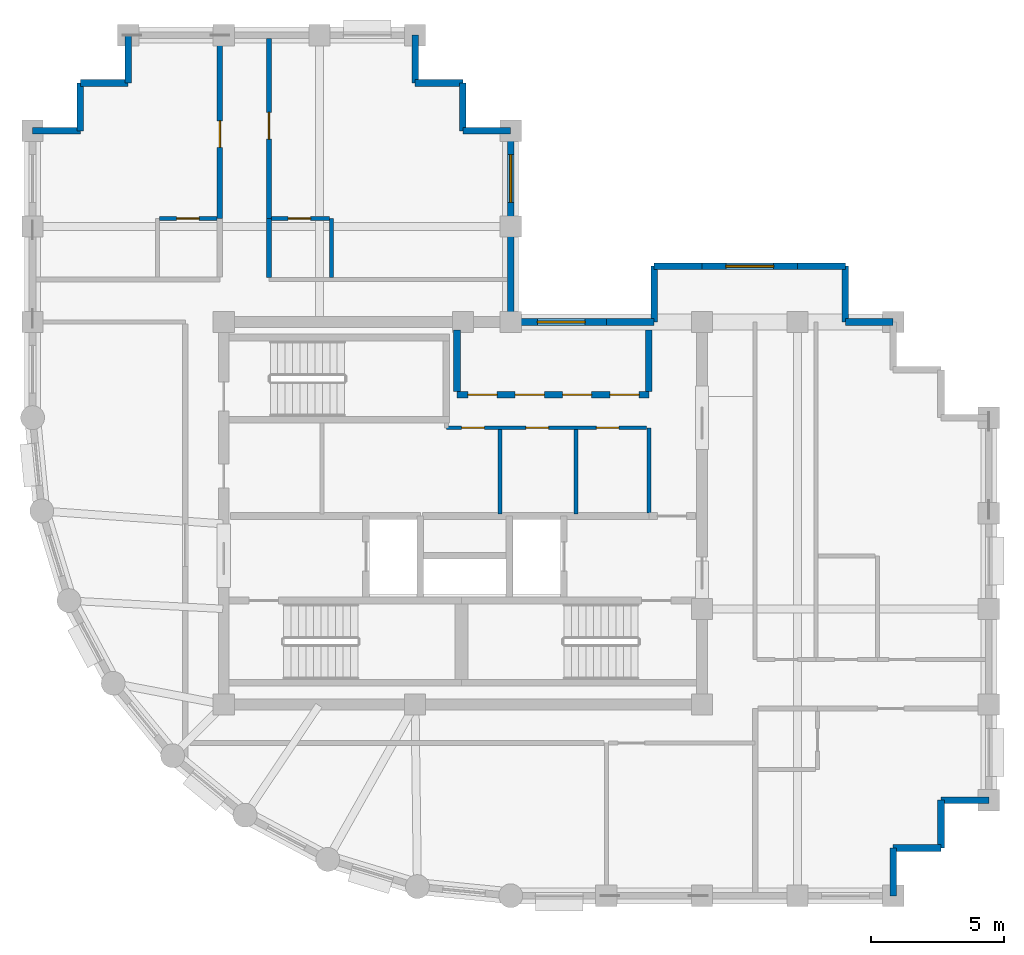
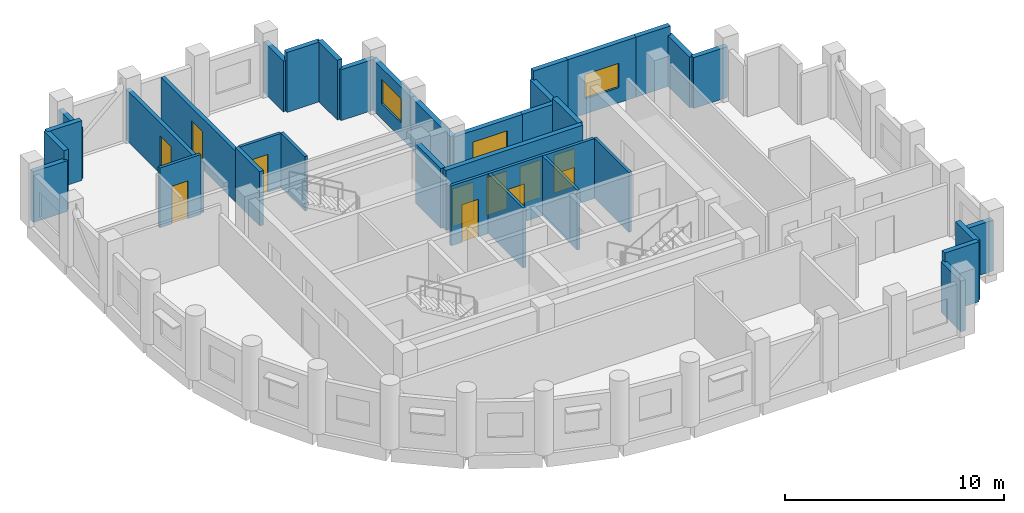
# One storey, part 4 of 7: 35 walls, 11 doors, 3 windows, 14 openings.
"""IFC4 building model written with IfcOpenShell, lengths in metres."""

from ifc_helpers import new_model, si_unit, direction, frame, frame_2d, origin, place, context, subcontext, project, spatial, rectangle, extrude, material, layer, layer_set, type_object, element, fill, save


model = new_model("IFC4")

# Units and contexts
model_context = context("Model", 3, precision=1e-05, world=origin(), true_north=direction((0.0, 1.0)))
body_context = subcontext(model_context, "Body", "Model", "MODEL_VIEW")
ifc_project = project(units=[si_unit("LENGTHUNIT", "METRE"), si_unit("AREAUNIT", "SQUARE_METRE"), si_unit("VOLUMEUNIT", "CUBIC_METRE"), si_unit("PLANEANGLEUNIT", "RADIAN"), si_unit("MASSUNIT", "GRAM", prefix="KILO")], contexts=[model_context])

# Site, building, storey
site_placement = place(None, origin())
site = spatial("IfcSite", under=ifc_project, at=site_placement, CompositionType="ELEMENT")
building_placement = place(site_placement, origin())
building = spatial("IfcBuilding", under=site, at=building_placement, Name="Solnavia Interchange Tower", CompositionType="ELEMENT")
storey_placement = place(building_placement, frame((0.0, 0.0, 281.0)))
storey = spatial("IfcBuildingStorey", under=building, at=storey_placement, Name="L71", CompositionType="ELEMENT", Elevation=281.0)

# Wall, opening, door
ifc_material_1 = material(Name="Gypsum Acoustic Twin-Stud & Mineral Wool", Category="gypsum")
ifc_layer_1 = layer(ifc_material_1, 0.199951171875)
ifc_layer_set_1 = layer_set([ifc_layer_1], Name="Gypsum Acoustic Twin-Stud & Mineral Wool")
wall_type_1 = type_object("IfcWallType", Name="Wall-ApartmentParty-200", PredefinedType="PARTITIONING", material=ifc_layer_set_1)
wall_1_placement = place(storey_placement, frame((14.25, 29.10009765625, 0.0), z_axis=(0.0, 0.0, 1.0), x_axis=(0.0, 1.0, 0.0)))
wall_1 = element("IfcWall", 1, at=wall_1_placement, inside=storey, type_object=wall_type_1, Name="PTW-L71-20 Interior partition wall", PredefinedType="PARTITIONING", context=body_context, shape_type="SweptSolid", body=[
    extrude(rectangle(XDim=6.77099609375, YDim=0.199951171875, at=frame_2d((3.385498046875, 0.0))), origin(), (0.0, 0.0, 1.0), 2.830078125),
])
opening_1_placement = place(wall_1_placement, frame((2.6708984375, 0.0, 0.0)))
opening_1 = element("IfcOpeningElement", 2, at=opening_1_placement, cuts=wall_1, Name="Opening DR-06", PredefinedType="OPENING", context=body_context, shape_type="SweptSolid", body=[
    extrude(rectangle(XDim=1.0, YDim=2.10009765625, at=frame_2d((0.5, 1.050048828125))), frame((0.0, 0.10986328125, 0.0), z_axis=(0.0, -1.0, 0.0), x_axis=(1.0, 0.0, 0.0)), (0.0, 0.0, 1.0), 0.219970703125),
])
ifc_material_2 = material(Name="Engineered Timber Acoustic Fire Door", Category="wood")
door_type_1 = type_object("IfcDoorType", Name="Door-FlatEntry-1000x2100", OperationType="SINGLE_SWING_LEFT", PredefinedType="DOOR", material=ifc_material_2)
door_1_placement = place(opening_1_placement, origin())
door_1 = element("IfcDoor", 3, at=door_1_placement, inside=storey, type_object=door_type_1, Name="DR-L71-08 Interior room door", OperationType="SINGLE_SWING_RIGHT", OverallHeight=2.10009765625, OverallWidth=1.0, PredefinedType="DOOR", context=body_context, shape_type="SweptSolid", body=[
    extrude(rectangle(XDim=1.0, YDim=2.10009765625, at=frame_2d((0.5, 1.050048828125))), frame((0.0, 0.02490234375, 0.0), z_axis=(0.0, -1.0, 0.0), x_axis=(1.0, 0.0, 0.0)), (0.0, 0.0, 1.0), 0.050048828125),
])
fill(opening_1, door_1)

# Wall
wall_2_placement = place(storey_placement, frame((16.10009765625, 26.87890625, 0.0), z_axis=(0.0, 0.0, 1.0), x_axis=(0.0, 1.0, 0.0)))
element("IfcWall", 4, at=wall_2_placement, inside=storey, type_object=wall_type_1, Name="PTW-L71-24 Interior partition wall", PredefinedType="PARTITIONING", context=body_context, shape_type="SweptSolid", body=[
    extrude(rectangle(XDim=2.22119140625, YDim=0.199951171875, at=frame_2d((1.110595703125, 0.0))), origin(), (0.0, 0.0, 1.0), 3.030029296875),
])

# Wall, opening, door
wall_3_placement = place(storey_placement, frame((16.10009765625, 29.10009765625, 0.0), z_axis=(0.0, 0.0, 1.0), x_axis=(0.0, 1.0, 0.0)))
wall_3 = element("IfcWall", 5, at=wall_3_placement, inside=storey, type_object=wall_type_1, Name="PTW-L71-25 Interior partition wall", PredefinedType="PARTITIONING", context=body_context, shape_type="SweptSolid", body=[
    extrude(rectangle(XDim=6.77099609375, YDim=0.199951171875, at=frame_2d((3.385498046875, 0.0))), origin(), (0.0, 0.0, 1.0), 2.830078125),
])
opening_2_placement = place(wall_3_placement, frame((2.989990234375, 0.0, 0.0)))
opening_2 = element("IfcOpeningElement", 6, at=opening_2_placement, cuts=wall_3, Name="Opening DR-06", PredefinedType="OPENING", context=body_context, shape_type="SweptSolid", body=[
    extrude(rectangle(XDim=1.0, YDim=2.10009765625, at=frame_2d((0.5, 1.050048828125))), frame((0.0, 0.10986328125, 0.0), z_axis=(0.0, -1.0, 0.0), x_axis=(1.0, 0.0, 0.0)), (0.0, 0.0, 1.0), 0.219970703125),
])
door_2_placement = place(opening_2_placement, origin())
door_2 = element("IfcDoor", 7, at=door_2_placement, inside=storey, type_object=door_type_1, Name="DR-L71-10 Interior room door", OperationType="SINGLE_SWING_LEFT", OverallHeight=2.10009765625, OverallWidth=1.0, PredefinedType="DOOR", context=body_context, shape_type="SweptSolid", body=[
    extrude(rectangle(XDim=1.0, YDim=2.10009765625, at=frame_2d((0.5, 1.050048828125))), frame((0.0, 0.02490234375, 0.0), z_axis=(0.0, -1.0, 0.0), x_axis=(1.0, 0.0, 0.0)), (0.0, 0.0, 1.0), 0.050048828125),
])
fill(opening_2, door_2)

# Walls
ifc_material_3 = material(Name="Concrete C40/50", Category="concrete")
ifc_layer_2 = layer(ifc_material_3, 0.25)
ifc_layer_set_2 = layer_set([ifc_layer_2], Name="Concrete C40/50")
wall_type_2 = type_object("IfcWallType", Name="Wall-ExtSpandrel-250", PredefinedType="STANDARD", material=ifc_layer_set_2)
wall_4_placement = place(storey_placement, frame((39.60009765625, 5.39990234375, 0.0), z_axis=(0.0, 0.0, 1.0), x_axis=(0.0, -1.0, 0.0)))
element("IfcWall", 8, at=wall_4_placement, inside=storey, type_object=wall_type_2, Name="EXW-L71-05 Exterior precast spandrel wall", PredefinedType="STANDARD", context=body_context, shape_type="SweptSolid", body=[
    extrude(rectangle(XDim=1.7998046875, YDim=0.25, at=frame_2d((0.89990234375, 0.0))), origin(), (0.0, 0.0, 1.0), 2.830078125),
])
wall_5_placement = place(storey_placement, frame((41.39990234375, 5.39990234375, 0.0), z_axis=(0.0, 0.0, 1.0), x_axis=(-1.0, 0.0, 0.0)))
element("IfcWall", 9, at=wall_5_placement, inside=storey, type_object=wall_type_2, Name="EXW-L71-06 Exterior precast spandrel wall", PredefinedType="STANDARD", context=body_context, shape_type="SweptSolid", body=[
    extrude(rectangle(XDim=1.7998046875, YDim=0.25, at=frame_2d((0.89990234375, 0.0))), origin(), (0.0, 0.0, 1.0), 3.3349609375),
])
wall_6_placement = place(storey_placement, frame((41.39990234375, 7.199951171875, 0.0), z_axis=(0.0, 0.0, 1.0), x_axis=(0.0, -1.0, 0.0)))
element("IfcWall", 10, at=wall_6_placement, inside=storey, type_object=wall_type_2, Name="EXW-L71-07 Exterior precast spandrel wall", PredefinedType="STANDARD", context=body_context, shape_type="SweptSolid", body=[
    extrude(rectangle(XDim=1.800048828125, YDim=0.25, at=frame_2d((0.89990234375, 0.0))), origin(), (0.0, 0.0, 1.0), 3.3349609375),
])
for number, where, z_axis, x_axis, name in (
    (11, (43.199951171875, 7.199951171875, 0.0), (0.0, 0.0, 1.0), (-1.0, 0.0, 0.0), "EXW-L71-08 Exterior precast spandrel wall"),
    (12, (37.800048828125, 25.199951171875, 0.0), (0.0, 0.0, 1.0), (1.0, 0.0, 0.0), "EXW-L71-17 Exterior precast spandrel wall"),
):
    element("IfcWall", number, at=place(storey_placement, frame(where, z_axis=z_axis, x_axis=x_axis)), inside=storey, type_object=wall_type_2, Name=name, PredefinedType="STANDARD", context=body_context, shape_type="SweptSolid", body=[
        extrude(rectangle(XDim=1.800048828125, YDim=0.25, at=frame_2d((0.89990234375, 0.0))), origin(), (0.0, 0.0, 1.0), 2.830078125),
    ])
wall_7_placement = place(storey_placement, frame((37.800048828125, 27.300048828125, 0.0), z_axis=(0.0, 0.0, 1.0), x_axis=(0.0, -1.0, 0.0)))
element("IfcWall", 13, at=wall_7_placement, inside=storey, type_object=wall_type_2, Name="EXW-L71-18 Exterior precast spandrel wall", PredefinedType="STANDARD", context=body_context, shape_type="SweptSolid", body=[
    extrude(rectangle(XDim=2.10009765625, YDim=0.25, at=frame_2d((1.050048828125, 0.0))), origin(), (0.0, 0.0, 1.0), 2.830078125),
])
wall_8_placement = place(storey_placement, frame((36.0, 27.300048828125, 0.0), z_axis=(0.0, 0.0, 1.0), x_axis=(1.0, 0.0, 0.0)))
element("IfcWall", 14, at=wall_8_placement, inside=storey, type_object=wall_type_2, Name="EXW-L71-19 Exterior precast spandrel wall", PredefinedType="STANDARD", context=body_context, shape_type="SweptSolid", body=[
    extrude(rectangle(XDim=1.800048828125, YDim=0.25, at=frame_2d((0.89990234375, 0.0))), origin(), (0.0, 0.0, 1.0), 3.3349609375),
])

# Wall, opening, window
wall_9_placement = place(storey_placement, frame((32.39990234375, 27.300048828125, 0.0), z_axis=(0.0, 0.0, 1.0), x_axis=(1.0, 0.0, 0.0)))
wall_9 = element("IfcWall", 15, at=wall_9_placement, inside=storey, type_object=wall_type_2, Name="EXW-L71-20 Exterior precast spandrel wall", PredefinedType="STANDARD", context=body_context, shape_type="SweptSolid", body=[
    extrude(rectangle(XDim=3.60009765625, YDim=0.25, at=frame_2d((1.800048828125, 0.0))), origin(), (0.0, 0.0, 1.0), 3.3349609375),
])
opening_3_placement = place(wall_9_placement, frame((0.89990234375, 0.0, 0.85009765625)))
opening_3 = element("IfcOpeningElement", 16, at=opening_3_placement, cuts=wall_9, Name="Opening WIN-02", PredefinedType="OPENING", context=body_context, shape_type="SweptSolid", body=[
    extrude(rectangle(XDim=1.800048828125, YDim=1.35009765625, at=frame_2d((0.89990234375, 0.675048828125))), frame((0.0, 0.135009765625, 0.0), z_axis=(0.0, -1.0, 0.0), x_axis=(1.0, 0.0, 0.0)), (0.0, 0.0, 1.0), 0.27001953125),
])
ifc_material_4 = material(Name="Thermal-Break Aluminium & Low-E Glass", Category="aluminium")
window_type = type_object("IfcWindowType", Name="Window-Ribbon-1800x1350", PartitioningType="SINGLE_PANEL", PredefinedType="WINDOW", material=ifc_material_4)
window_1_placement = place(opening_3_placement, origin())
window_1 = element("IfcWindow", 17, at=window_1_placement, inside=storey, type_object=window_type, Name="WIN-L71-20 Facade ribbon window", OverallHeight=1.35009765625, OverallWidth=1.800048828125, PartitioningType="SINGLE_PANEL", PredefinedType="WINDOW", context=body_context, shape_type="SweptSolid", body=[
    extrude(rectangle(XDim=1.800048828125, YDim=1.35009765625, at=frame_2d((0.89990234375, 0.675048828125))), frame((0.0, 0.030029296875, 0.0), z_axis=(0.0, -1.0, 0.0), x_axis=(1.0, 0.0, 0.0)), (0.0, 0.0, 1.0), 0.06005859375),
])
fill(opening_3, window_1)

# Walls
wall_10_placement = place(storey_placement, frame((30.60009765625, 27.300048828125, 0.0), z_axis=(0.0, 0.0, 1.0), x_axis=(1.0, 0.0, 0.0)))
element("IfcWall", 18, at=wall_10_placement, inside=storey, type_object=wall_type_2, Name="EXW-L71-21 Exterior precast spandrel wall", PredefinedType="STANDARD", context=body_context, shape_type="SweptSolid", body=[
    extrude(rectangle(XDim=1.7998046875, YDim=0.25, at=frame_2d((0.89990234375, 0.0))), origin(), (0.0, 0.0, 1.0), 3.3349609375),
])
wall_11_placement = place(storey_placement, frame((30.60009765625, 27.300048828125, 0.0), z_axis=(0.0, 0.0, 1.0), x_axis=(0.0, -1.0, 0.0)))
element("IfcWall", 19, at=wall_11_placement, inside=storey, type_object=wall_type_2, Name="EXW-L71-22 Exterior precast spandrel wall", PredefinedType="STANDARD", context=body_context, shape_type="SweptSolid", body=[
    extrude(rectangle(XDim=2.10009765625, YDim=0.25, at=frame_2d((1.050048828125, 0.0))), origin(), (0.0, 0.0, 1.0), 2.830078125),
])
wall_12_placement = place(storey_placement, frame((28.800048828125, 25.199951171875, 0.0), z_axis=(0.0, 0.0, 1.0), x_axis=(1.0, 0.0, 0.0)))
element("IfcWall", 20, at=wall_12_placement, inside=storey, type_object=wall_type_2, Name="EXW-L71-23 Exterior precast spandrel wall", PredefinedType="STANDARD", context=body_context, shape_type="SweptSolid", body=[
    extrude(rectangle(XDim=1.800048828125, YDim=0.25, at=frame_2d((0.89990234375, 0.0))), origin(), (0.0, 0.0, 1.0), 2.830078125),
])

# Wall, opening, window
wall_13_placement = place(storey_placement, frame((25.199951171875, 25.199951171875, 0.0), z_axis=(0.0, 0.0, 1.0), x_axis=(1.0, 0.0, 0.0)))
wall_13 = element("IfcWall", 21, at=wall_13_placement, inside=storey, type_object=wall_type_2, Name="EXW-L71-24 Exterior precast spandrel wall", PredefinedType="STANDARD", context=body_context, shape_type="SweptSolid", body=[
    extrude(rectangle(XDim=3.60009765625, YDim=0.25, at=frame_2d((1.800048828125, 0.0))), origin(), (0.0, 0.0, 1.0), 2.830078125),
])
opening_4_placement = place(wall_13_placement, frame((1.0048828125, 0.0, 0.85009765625)))
opening_4 = element("IfcOpeningElement", 22, at=opening_4_placement, cuts=wall_13, Name="Opening WIN-02", PredefinedType="OPENING", context=body_context, shape_type="SweptSolid", body=[
    extrude(rectangle(XDim=1.800048828125, YDim=1.35009765625, at=frame_2d((0.89990234375, 0.675048828125))), frame((0.0, 0.135009765625, 0.0), z_axis=(0.0, -1.0, 0.0), x_axis=(1.0, 0.0, 0.0)), (0.0, 0.0, 1.0), 0.27001953125),
])
window_2_placement = place(opening_4_placement, origin())
window_2 = element("IfcWindow", 23, at=window_2_placement, inside=storey, type_object=window_type, Name="WIN-L71-24 Facade ribbon window", OverallHeight=1.35009765625, OverallWidth=1.800048828125, PartitioningType="SINGLE_PANEL", PredefinedType="WINDOW", context=body_context, shape_type="SweptSolid", body=[
    extrude(rectangle(XDim=1.800048828125, YDim=1.35009765625, at=frame_2d((0.89990234375, 0.675048828125))), frame((0.0, 0.030029296875, 0.0), z_axis=(0.0, -1.0, 0.0), x_axis=(1.0, 0.0, 0.0)), (0.0, 0.0, 1.0), 0.06005859375),
])
fill(opening_4, window_2)

# Wall
wall_14_placement = place(storey_placement, frame((25.199951171875, 28.800048828125, 0.0), z_axis=(0.0, 0.0, 1.0), x_axis=(0.0, -1.0, 0.0)))
element("IfcWall", 24, at=wall_14_placement, inside=storey, type_object=wall_type_2, Name="EXW-L71-25 Exterior precast spandrel wall", PredefinedType="STANDARD", context=body_context, shape_type="SweptSolid", body=[
    extrude(rectangle(XDim=3.60009765625, YDim=0.25, at=frame_2d((1.800048828125, 0.0))), origin(), (0.0, 0.0, 1.0), 2.830078125),
])

# Wall, opening, window
wall_15_placement = place(storey_placement, frame((25.199951171875, 32.39990234375, 0.0), z_axis=(0.0, 0.0, 1.0), x_axis=(0.0, -1.0, 0.0)))
wall_15 = element("IfcWall", 25, at=wall_15_placement, inside=storey, type_object=wall_type_2, Name="EXW-L71-26 Exterior precast spandrel wall", PredefinedType="STANDARD", context=body_context, shape_type="SweptSolid", body=[
    extrude(rectangle(XDim=3.599853515625, YDim=0.25, at=frame_2d((1.7998046875, 0.0))), origin(), (0.0, 0.0, 1.0), 2.830078125),
])
opening_5_placement = place(wall_15_placement, frame((0.89990234375, 0.0, 0.85009765625)))
opening_5 = element("IfcOpeningElement", 26, at=opening_5_placement, cuts=wall_15, Name="Opening WIN-02", PredefinedType="OPENING", context=body_context, shape_type="SweptSolid", body=[
    extrude(rectangle(XDim=1.800048828125, YDim=1.35009765625, at=frame_2d((0.89990234375, 0.675048828125))), frame((0.0, 0.135009765625, 0.0), z_axis=(0.0, -1.0, 0.0), x_axis=(1.0, 0.0, 0.0)), (0.0, 0.0, 1.0), 0.27001953125),
])
window_3_placement = place(opening_5_placement, origin())
window_3 = element("IfcWindow", 27, at=window_3_placement, inside=storey, type_object=window_type, Name="WIN-L71-26 Facade ribbon window", OverallHeight=1.35009765625, OverallWidth=1.800048828125, PartitioningType="SINGLE_PANEL", PredefinedType="WINDOW", context=body_context, shape_type="SweptSolid", body=[
    extrude(rectangle(XDim=1.800048828125, YDim=1.35009765625, at=frame_2d((0.89990234375, 0.675048828125))), frame((0.0, 0.030029296875, 0.0), z_axis=(0.0, -1.0, 0.0), x_axis=(1.0, 0.0, 0.0)), (0.0, 0.0, 1.0), 0.06005859375),
])
fill(opening_5, window_3)

# Walls
wall_16_placement = place(storey_placement, frame((23.39990234375, 32.39990234375, 0.0), z_axis=(0.0, 0.0, 1.0), x_axis=(1.0, 0.0, 0.0)))
element("IfcWall", 28, at=wall_16_placement, inside=storey, type_object=wall_type_2, Name="EXW-L71-27 Exterior precast spandrel wall", PredefinedType="STANDARD", context=body_context, shape_type="SweptSolid", body=[
    extrude(rectangle(XDim=1.800048828125, YDim=0.25, at=frame_2d((0.89990234375, 0.0))), origin(), (0.0, 0.0, 1.0), 2.830078125),
])
wall_17_placement = place(storey_placement, frame((23.39990234375, 32.39990234375, 0.0), z_axis=(0.0, 0.0, 1.0), x_axis=(0.0, 1.0, 0.0)))
element("IfcWall", 29, at=wall_17_placement, inside=storey, type_object=wall_type_2, Name="EXW-L71-28 Exterior precast spandrel wall", PredefinedType="STANDARD", context=body_context, shape_type="SweptSolid", body=[
    extrude(rectangle(XDim=1.800048828125, YDim=0.25, at=frame_2d((0.89990234375, 0.0))), origin(), (0.0, 0.0, 1.0), 3.3349609375),
])
wall_18_placement = place(storey_placement, frame((21.60009765625, 34.199951171875, 0.0), z_axis=(0.0, 0.0, 1.0), x_axis=(1.0, 0.0, 0.0)))
element("IfcWall", 30, at=wall_18_placement, inside=storey, type_object=wall_type_2, Name="EXW-L71-29 Exterior precast spandrel wall", PredefinedType="STANDARD", context=body_context, shape_type="SweptSolid", body=[
    extrude(rectangle(XDim=1.7998046875, YDim=0.25, at=frame_2d((0.89990234375, 0.0))), origin(), (0.0, 0.0, 1.0), 3.3349609375),
])
for number, where, z_axis, x_axis, name in (
    (31, (21.60009765625, 34.199951171875, 0.0), (0.0, 0.0, 1.0), (0.0, 1.0, 0.0), "EXW-L71-30 Exterior precast spandrel wall"),
    (32, (10.800048828125, 34.199951171875, 0.0), (0.0, 0.0, 1.0), (0.0, 1.0, 0.0), "EXW-L71-34 Exterior precast spandrel wall"),
):
    element("IfcWall", number, at=place(storey_placement, frame(where, z_axis=z_axis, x_axis=x_axis)), inside=storey, type_object=wall_type_2, Name=name, PredefinedType="STANDARD", context=body_context, shape_type="SweptSolid", body=[
        extrude(rectangle(XDim=1.800048828125, YDim=0.25, at=frame_2d((0.89990234375, 0.0))), origin(), (0.0, 0.0, 1.0), 2.830078125),
    ])
for number, where, z_axis, x_axis, name in (
    (33, (9.0, 34.199951171875, 0.0), (0.0, 0.0, 1.0), (1.0, 0.0, 0.0), "EXW-L71-35 Exterior precast spandrel wall"),
    (34, (9.0, 32.39990234375, 0.0), (0.0, 0.0, 1.0), (0.0, 1.0, 0.0), "EXW-L71-36 Exterior precast spandrel wall"),
):
    element("IfcWall", number, at=place(storey_placement, frame(where, z_axis=z_axis, x_axis=x_axis)), inside=storey, type_object=wall_type_2, Name=name, PredefinedType="STANDARD", context=body_context, shape_type="SweptSolid", body=[
        extrude(rectangle(XDim=1.800048828125, YDim=0.25, at=frame_2d((0.89990234375, 0.0))), origin(), (0.0, 0.0, 1.0), 3.3349609375),
    ])
wall_19_placement = place(storey_placement, frame((7.199951171875, 32.39990234375, 0.0), z_axis=(0.0, 0.0, 1.0), x_axis=(1.0, 0.0, 0.0)))
element("IfcWall", 35, at=wall_19_placement, inside=storey, type_object=wall_type_2, Name="EXW-L71-37 Exterior precast spandrel wall", PredefinedType="STANDARD", context=body_context, shape_type="SweptSolid", body=[
    extrude(rectangle(XDim=1.800048828125, YDim=0.25, at=frame_2d((0.89990234375, 0.0))), origin(), (0.0, 0.0, 1.0), 2.830078125),
])

# Wall, openings, doors
ifc_material_5 = material(Name="Gypsum Plasterboard & Steel Stud", Category="steel")
ifc_layer_3 = layer(ifc_material_5, 0.14990234375)
ifc_layer_set_3 = layer_set([ifc_layer_3], Name="Gypsum Plasterboard & Steel Stud")
wall_type_3 = type_object("IfcWallType", Name="Wall-Partition-150", PredefinedType="PARTITIONING", material=ifc_layer_set_3)
wall_20_placement = place(storey_placement, frame((22.77490234375, 21.219970703125, 0.0), z_axis=(0.0, 0.0, 1.0), x_axis=(1.0, 0.0, 0.0)))
wall_20 = element("IfcWall", 36, at=wall_20_placement, inside=storey, type_object=wall_type_3, Name="CSW-L71-N-ALL Core shaft wall", PredefinedType="PARTITIONING", context=body_context, shape_type="SweptSolid", body=[
    extrude(rectangle(XDim=7.545166015625, YDim=0.14990234375, at=frame_2d((3.7724609375, 0.0))), origin(), (0.0, 0.0, 1.0), 3.3349609375),
])
opening_6_placement = place(wall_20_placement, frame((0.580078125, 0.0, 0.0)))
opening_6 = element("IfcOpeningElement", 37, at=opening_6_placement, cuts=wall_20, Name="Opening DR-10", PredefinedType="OPENING", context=body_context, shape_type="SweptSolid", body=[
    extrude(rectangle(XDim=0.85009765625, YDim=2.10009765625, at=frame_2d((0.425048828125, 1.050048828125))), frame((0.0, 0.0849609375, 0.0), z_axis=(0.0, -1.0, 0.0), x_axis=(1.0, 0.0, 0.0)), (0.0, 0.0, 1.0), 0.169921875),
])
opening_7_placement = place(wall_20_placement, frame((3.0, 0.0, 0.0)))
opening_7 = element("IfcOpeningElement", 38, at=opening_7_placement, cuts=wall_20, Name="Opening DR-10", PredefinedType="OPENING", context=body_context, shape_type="SweptSolid", body=[
    extrude(rectangle(XDim=0.85009765625, YDim=2.10009765625, at=frame_2d((0.425048828125, 1.050048828125))), frame((0.0, 0.0849609375, 0.0), z_axis=(0.0, -1.0, 0.0), x_axis=(1.0, 0.0, 0.0)), (0.0, 0.0, 1.0), 0.169921875),
])
opening_8_placement = place(wall_20_placement, frame((5.64990234375, 0.0, 0.0)))
opening_8 = element("IfcOpeningElement", 39, at=opening_8_placement, cuts=wall_20, Name="Opening DR-10", PredefinedType="OPENING", context=body_context, shape_type="SweptSolid", body=[
    extrude(rectangle(XDim=0.85009765625, YDim=2.10009765625, at=frame_2d((0.425048828125, 1.050048828125))), frame((0.0, 0.0849609375, 0.0), z_axis=(0.0, -1.0, 0.0), x_axis=(1.0, 0.0, 0.0)), (0.0, 0.0, 1.0), 0.169921875),
])
ifc_material_6 = material(Name="Moisture-Resistant Timber Door", Category="wood")
door_type_2 = type_object("IfcDoorType", Name="Door-Bathroom-850x2100", OperationType="SINGLE_SWING_RIGHT", PredefinedType="DOOR", material=ifc_material_6)
door_3_placement = place(opening_6_placement, origin())
door_3 = element("IfcDoor", 40, at=door_3_placement, inside=storey, type_object=door_type_2, Name="DR-L71-CS2 Core fire door", OperationType="SINGLE_SWING_LEFT", OverallHeight=2.10009765625, OverallWidth=0.85009765625, PredefinedType="DOOR", context=body_context, shape_type="SweptSolid", body=[
    extrude(rectangle(XDim=0.85009765625, YDim=2.10009765625, at=frame_2d((0.425048828125, 1.050048828125))), frame((0.0, 0.02490234375, 0.0), z_axis=(0.0, -1.0, 0.0), x_axis=(1.0, 0.0, 0.0)), (0.0, 0.0, 1.0), 0.050048828125),
])
fill(opening_6, door_3)
door_4_placement = place(opening_7_placement, origin())
door_4 = element("IfcDoor", 41, at=door_4_placement, inside=storey, type_object=door_type_2, Name="DR-L71-CS3 Core fire door", OperationType="SINGLE_SWING_LEFT", OverallHeight=2.10009765625, OverallWidth=0.85009765625, PredefinedType="DOOR", context=body_context, shape_type="SweptSolid", body=[
    extrude(rectangle(XDim=0.85009765625, YDim=2.10009765625, at=frame_2d((0.425048828125, 1.050048828125))), frame((0.0, 0.02490234375, 0.0), z_axis=(0.0, -1.0, 0.0), x_axis=(1.0, 0.0, 0.0)), (0.0, 0.0, 1.0), 0.050048828125),
])
fill(opening_7, door_4)
door_5_placement = place(opening_8_placement, origin())
door_5 = element("IfcDoor", 42, at=door_5_placement, inside=storey, type_object=door_type_2, Name="DR-L71-CS4 Core fire door", OperationType="SINGLE_SWING_RIGHT", OverallHeight=2.10009765625, OverallWidth=0.85009765625, PredefinedType="DOOR", context=body_context, shape_type="SweptSolid", body=[
    extrude(rectangle(XDim=0.85009765625, YDim=2.10009765625, at=frame_2d((0.425048828125, 1.050048828125))), frame((0.0, 0.02490234375, 0.0), z_axis=(0.0, -1.0, 0.0), x_axis=(1.0, 0.0, 0.0)), (0.0, 0.0, 1.0), 0.050048828125),
])
fill(opening_8, door_5)

# Walls
wall_21_placement = place(storey_placement, frame((30.39990234375, 18.02001953125, 0.0), z_axis=(0.0, 0.0, 1.0), x_axis=(0.0, 1.0, 0.0)))
element("IfcWall", 43, at=wall_21_placement, inside=storey, type_object=wall_type_3, Name="CSW-L71-E-E Core shaft wall", PredefinedType="PARTITIONING", context=body_context, shape_type="SweptSolid", body=[
    extrude(rectangle(XDim=3.199951171875, YDim=0.14990234375, at=frame_2d((1.60009765625, 0.0))), origin(), (0.0, 0.0, 1.0), 3.3349609375),
])
for number, where, z_axis, x_axis, name in (
    (44, (24.800048828125, 17.97998046875, 0.0), (0.0, 0.0, 1.0), (0.0, 1.0, 0.0), "CSW-L71-M2 Core shaft wall"),
    (45, (27.64990234375, 17.97998046875, 0.0), (0.0, 0.0, 1.0), (0.0, 1.0, 0.0), "CSW-L71-M3 Core shaft wall"),
):
    element("IfcWall", number, at=place(storey_placement, frame(where, z_axis=z_axis, x_axis=x_axis)), inside=storey, type_object=wall_type_3, Name=name, PredefinedType="PARTITIONING", context=body_context, shape_type="SweptSolid", body=[
        extrude(rectangle(XDim=3.169921875, YDim=0.14990234375, at=frame_2d((1.5849609375, 0.0))), origin(), (0.0, 0.0, 1.0), 3.3349609375),
    ])

# Wall, openings, doors
ifc_layer_4 = layer(ifc_material_3, 0.25)
ifc_layer_set_4 = layer_set([ifc_layer_4], Name="Concrete C40/50")
wall_type_4 = type_object("IfcWallType", Name="Wall-ShaftPart-250", PredefinedType="PARTITIONING", material=ifc_layer_set_4)
wall_22_placement = place(storey_placement, frame((23.179931640625, 22.4599609375, 0.0), z_axis=(0.0, 0.0, 1.0), x_axis=(1.0, 0.0, 0.0)))
wall_22 = element("IfcWall", 46, at=wall_22_placement, inside=storey, type_object=wall_type_4, Name="SHW-L71-B3S Core shaft wall", PredefinedType="PARTITIONING", context=body_context, shape_type="SweptSolid", body=[
    extrude(rectangle(XDim=7.219970703125, YDim=0.25, at=frame_2d((3.60986328125, 0.0))), origin(), (0.0, 0.0, 1.0), 3.3349609375),
])
opening_9_placement = place(wall_22_placement, frame((0.409912109375, 0.0, 0.0)))
opening_9 = element("IfcOpeningElement", 47, at=opening_9_placement, cuts=wall_22, Name="Opening LD-01", PredefinedType="OPENING", context=body_context, shape_type="SweptSolid", body=[
    extrude(rectangle(XDim=1.10009765625, YDim=2.10009765625, at=frame_2d((0.550048828125, 1.050048828125))), frame((0.0, 0.135009765625, 0.0), z_axis=(0.0, -1.0, 0.0), x_axis=(1.0, 0.0, 0.0)), (0.0, 0.0, 1.0), 0.27001953125),
])
opening_10_placement = place(wall_22_placement, frame((2.18994140625, 0.0, 0.0)))
opening_10 = element("IfcOpeningElement", 48, at=opening_10_placement, cuts=wall_22, Name="Opening LD-01", PredefinedType="OPENING", context=body_context, shape_type="SweptSolid", body=[
    extrude(rectangle(XDim=1.10009765625, YDim=2.10009765625, at=frame_2d((0.550048828125, 1.050048828125))), frame((0.0, 0.135009765625, 0.0), z_axis=(0.0, -1.0, 0.0), x_axis=(1.0, 0.0, 0.0)), (0.0, 0.0, 1.0), 0.27001953125),
])
opening_11_placement = place(wall_22_placement, frame((3.969970703125, 0.0, 0.0)))
opening_11 = element("IfcOpeningElement", 49, at=opening_11_placement, cuts=wall_22, Name="Opening LD-01", PredefinedType="OPENING", context=body_context, shape_type="SweptSolid", body=[
    extrude(rectangle(XDim=1.10009765625, YDim=2.10009765625, at=frame_2d((0.550048828125, 1.050048828125))), frame((0.0, 0.135009765625, 0.0), z_axis=(0.0, -1.0, 0.0), x_axis=(1.0, 0.0, 0.0)), (0.0, 0.0, 1.0), 0.27001953125),
])
opening_12_placement = place(wall_22_placement, frame((5.75, 0.0, 0.0)))
opening_12 = element("IfcOpeningElement", 50, at=opening_12_placement, cuts=wall_22, Name="Opening LD-01", PredefinedType="OPENING", context=body_context, shape_type="SweptSolid", body=[
    extrude(rectangle(XDim=1.10009765625, YDim=2.10009765625, at=frame_2d((0.550048828125, 1.050048828125))), frame((0.0, 0.135009765625, 0.0), z_axis=(0.0, -1.0, 0.0), x_axis=(1.0, 0.0, 0.0)), (0.0, 0.0, 1.0), 0.27001953125),
])
ifc_material_7 = material(Name="Brushed Stainless Steel Sliding Door", Category="steel")
door_type_3 = type_object("IfcDoorType", Name="Door-LiftLanding-1100x2100", OperationType="SLIDING_TO_LEFT", PredefinedType="DOOR", material=ifc_material_7)
door_6_placement = place(opening_9_placement, origin())
door_6 = element("IfcDoor", 51, at=door_6_placement, inside=storey, type_object=door_type_3, Name="LD-L71-B3-1 Lift landing sliding door", OperationType="SLIDING_TO_LEFT", OverallHeight=2.10009765625, OverallWidth=1.10009765625, PredefinedType="DOOR", context=body_context, shape_type="SweptSolid", body=[
    extrude(rectangle(XDim=1.10009765625, YDim=2.10009765625, at=frame_2d((0.550048828125, 1.050048828125))), frame((0.0, 0.02490234375, 0.0), z_axis=(0.0, -1.0, 0.0), x_axis=(1.0, 0.0, 0.0)), (0.0, 0.0, 1.0), 0.050048828125),
])
fill(opening_9, door_6)
door_7_placement = place(opening_10_placement, origin())
door_7 = element("IfcDoor", 52, at=door_7_placement, inside=storey, type_object=door_type_3, Name="LD-L71-B3-2 Lift landing sliding door", OperationType="SLIDING_TO_LEFT", OverallHeight=2.10009765625, OverallWidth=1.10009765625, PredefinedType="DOOR", context=body_context, shape_type="SweptSolid", body=[
    extrude(rectangle(XDim=1.10009765625, YDim=2.10009765625, at=frame_2d((0.550048828125, 1.050048828125))), frame((0.0, 0.02490234375, 0.0), z_axis=(0.0, -1.0, 0.0), x_axis=(1.0, 0.0, 0.0)), (0.0, 0.0, 1.0), 0.050048828125),
])
fill(opening_10, door_7)
door_8_placement = place(opening_11_placement, origin())
door_8 = element("IfcDoor", 53, at=door_8_placement, inside=storey, type_object=door_type_3, Name="LD-L71-B3-3 Lift landing sliding door", OperationType="SLIDING_TO_LEFT", OverallHeight=2.10009765625, OverallWidth=1.10009765625, PredefinedType="DOOR", context=body_context, shape_type="SweptSolid", body=[
    extrude(rectangle(XDim=1.10009765625, YDim=2.10009765625, at=frame_2d((0.550048828125, 1.050048828125))), frame((0.0, 0.02490234375, 0.0), z_axis=(0.0, -1.0, 0.0), x_axis=(1.0, 0.0, 0.0)), (0.0, 0.0, 1.0), 0.050048828125),
])
fill(opening_11, door_8)
door_9_placement = place(opening_12_placement, origin())
door_9 = element("IfcDoor", 54, at=door_9_placement, inside=storey, type_object=door_type_3, Name="LD-L71-B3-4 Lift landing sliding door", OperationType="SLIDING_TO_LEFT", OverallHeight=2.10009765625, OverallWidth=1.10009765625, PredefinedType="DOOR", context=body_context, shape_type="SweptSolid", body=[
    extrude(rectangle(XDim=1.10009765625, YDim=2.10009765625, at=frame_2d((0.550048828125, 1.050048828125))), frame((0.0, 0.02490234375, 0.0), z_axis=(0.0, -1.0, 0.0), x_axis=(1.0, 0.0, 0.0)), (0.0, 0.0, 1.0), 0.050048828125),
])
fill(opening_12, door_9)

# Walls
for number, where, z_axis, x_axis, name in (
    (55, (23.179931640625, 22.5849609375, 0.0), (0.0, 0.0, 1.0), (0.0, 1.0, 0.0), "SHW-L71-B3W Core shaft wall"),
    (56, (30.39990234375, 22.5849609375, 0.0), (0.0, 0.0, 1.0), (0.0, 1.0, 0.0), "SHW-L71-B3E Core shaft wall"),
):
    element("IfcWall", number, at=place(storey_placement, frame(where, z_axis=z_axis, x_axis=x_axis)), inside=storey, type_object=wall_type_4, Name=name, PredefinedType="PARTITIONING", context=body_context, shape_type="SweptSolid", body=[
        extrude(rectangle(XDim=2.31494140625, YDim=0.25, at=frame_2d((1.157470703125, 0.0))), origin(), (0.0, 0.0, 1.0), 3.3349609375),
    ])

# Wall, opening, door
ifc_material_8 = material(Name="Moisture-Resistant Gypsum & Steel Stud", Category="steel")
ifc_layer_5 = layer(ifc_material_8, 0.14990234375)
ifc_layer_set_5 = layer_set([ifc_layer_5], Name="Moisture-Resistant Gypsum & Steel Stud")
wall_type_5 = type_object("IfcWallType", Name="Wall-WetRoom-150", PredefinedType="PARTITIONING", material=ifc_layer_set_5)
wall_23_placement = place(storey_placement, frame((11.97900390625, 29.10009765625, 0.0), z_axis=(0.0, 0.0, 1.0), x_axis=(1.0, 0.0, 0.0)))
wall_23 = element("IfcWall", 57, at=wall_23_placement, inside=storey, type_object=wall_type_5, Name="PTW-L71-22 Interior partition wall", PredefinedType="PARTITIONING", context=body_context, shape_type="SweptSolid", body=[
    extrude(rectangle(XDim=2.1669921875, YDim=0.14990234375, at=frame_2d((1.08349609375, 0.0))), origin(), (0.0, 0.0, 1.0), 3.3349609375),
])
opening_13_placement = place(wall_23_placement, frame((0.64111328125, 0.0, 0.0)))
opening_13 = element("IfcOpeningElement", 58, at=opening_13_placement, cuts=wall_23, Name="Opening DR-10", PredefinedType="OPENING", context=body_context, shape_type="SweptSolid", body=[
    extrude(rectangle(XDim=0.85009765625, YDim=2.10009765625, at=frame_2d((0.425048828125, 1.050048828125))), frame((0.0, 0.0849609375, 0.0), z_axis=(0.0, -1.0, 0.0), x_axis=(1.0, 0.0, 0.0)), (0.0, 0.0, 1.0), 0.169921875),
])
door_10_placement = place(opening_13_placement, origin())
door_10 = element("IfcDoor", 59, at=door_10_placement, inside=storey, type_object=door_type_2, Name="DR-L71-09 Interior room door", OperationType="SINGLE_SWING_RIGHT", OverallHeight=2.10009765625, OverallWidth=0.85009765625, PredefinedType="DOOR", context=body_context, shape_type="SweptSolid", body=[
    extrude(rectangle(XDim=0.85009765625, YDim=2.10009765625, at=frame_2d((0.425048828125, 1.050048828125))), frame((0.0, 0.02490234375, 0.0), z_axis=(0.0, -1.0, 0.0), x_axis=(1.0, 0.0, 0.0)), (0.0, 0.0, 1.0), 0.050048828125),
])
fill(opening_13, door_10)

# Wall
wall_24_placement = place(storey_placement, frame((18.449951171875, 26.87890625, 0.0), z_axis=(0.0, 0.0, 1.0), x_axis=(0.0, 1.0, 0.0)))
element("IfcWall", 60, at=wall_24_placement, inside=storey, type_object=wall_type_5, Name="PTW-L71-26 Interior partition wall", PredefinedType="PARTITIONING", context=body_context, shape_type="SweptSolid", body=[
    extrude(rectangle(XDim=2.22119140625, YDim=0.14990234375, at=frame_2d((1.110595703125, 0.0))), origin(), (0.0, 0.0, 1.0), 3.030029296875),
])

# Wall, opening, door
wall_25_placement = place(storey_placement, frame((16.2041015625, 29.10009765625, 0.0), z_axis=(0.0, 0.0, 1.0), x_axis=(1.0, 0.0, 0.0)))
wall_25 = element("IfcWall", 61, at=wall_25_placement, inside=storey, type_object=wall_type_5, Name="PTW-L71-27 Interior partition wall", PredefinedType="PARTITIONING", context=body_context, shape_type="SweptSolid", body=[
    extrude(rectangle(XDim=2.1669921875, YDim=0.14990234375, at=frame_2d((1.08349609375, 0.0))), origin(), (0.0, 0.0, 1.0), 3.030029296875),
])
opening_14_placement = place(wall_25_placement, frame((0.615966796875, 0.0, 0.0)))
opening_14 = element("IfcOpeningElement", 62, at=opening_14_placement, cuts=wall_25, Name="Opening DR-10", PredefinedType="OPENING", context=body_context, shape_type="SweptSolid", body=[
    extrude(rectangle(XDim=0.85009765625, YDim=2.10009765625, at=frame_2d((0.425048828125, 1.050048828125))), frame((0.0, 0.0849609375, 0.0), z_axis=(0.0, -1.0, 0.0), x_axis=(1.0, 0.0, 0.0)), (0.0, 0.0, 1.0), 0.169921875),
])
door_11_placement = place(opening_14_placement, origin())
door_11 = element("IfcDoor", 63, at=door_11_placement, inside=storey, type_object=door_type_2, Name="DR-L71-11 Interior room door", OperationType="SINGLE_SWING_RIGHT", OverallHeight=2.10009765625, OverallWidth=0.85009765625, PredefinedType="DOOR", context=body_context, shape_type="SweptSolid", body=[
    extrude(rectangle(XDim=0.85009765625, YDim=2.10009765625, at=frame_2d((0.425048828125, 1.050048828125))), frame((0.0, 0.02490234375, 0.0), z_axis=(0.0, -1.0, 0.0), x_axis=(1.0, 0.0, 0.0)), (0.0, 0.0, 1.0), 0.050048828125),
])
fill(opening_14, door_11)

save(model, "model.ifc")
